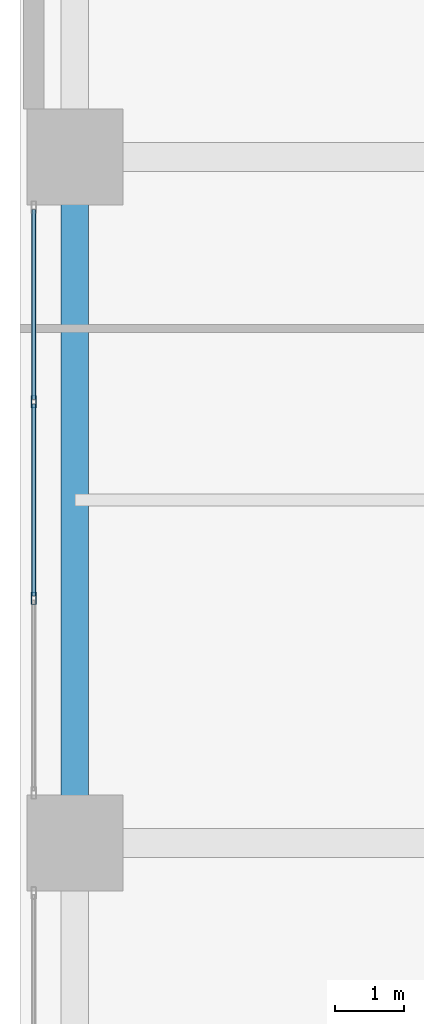
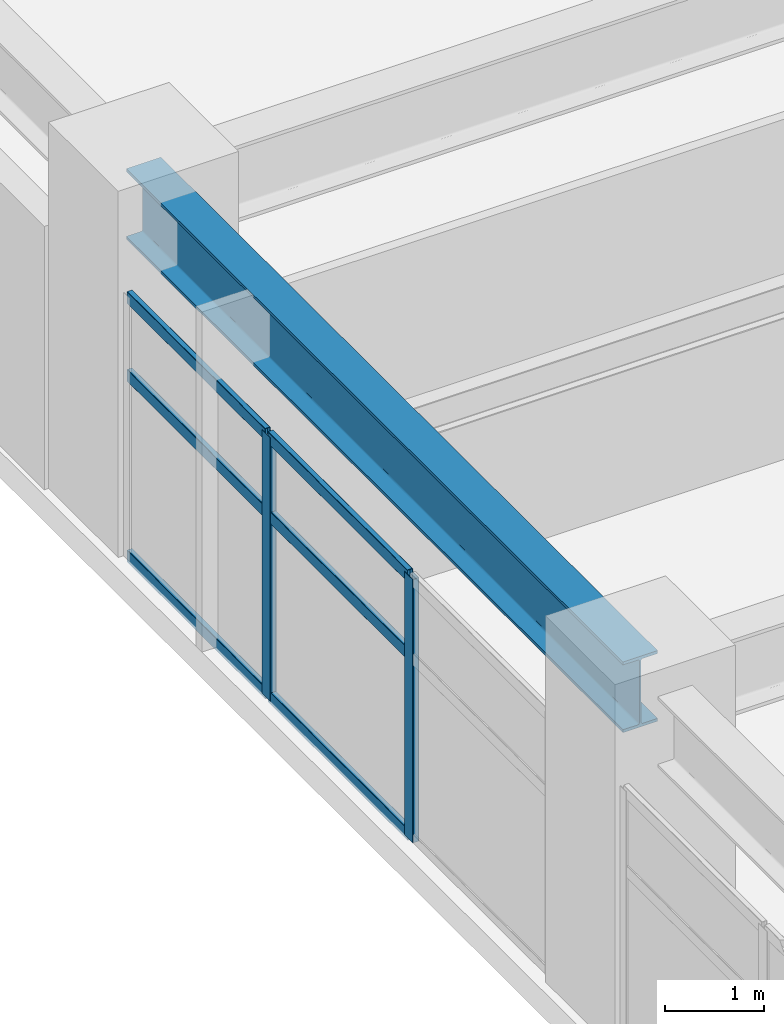
# One storey, part 9 of 28: 8 members, 1 beam, 1 element without a shape of its own.
"""IFC4 building model written with IfcOpenShell, lengths in metres."""

from ifc_helpers import new_model, si_unit, direction, frame, origin, origin_2d, place, context, subcontext, project, spatial, hollow_rectangle, i_section, extrude, material, layer, layer_set, material_profile, profile_set, type_object, element, aggregate, save


model = new_model("IFC4")

# Units and contexts
model_context = context("Model", 3, precision=1e-05, world=origin(), true_north=direction((0.0, 1.0)))
body_context = subcontext(model_context, "Body", "Model", "MODEL_VIEW")
ifc_project = project(units=[si_unit("LENGTHUNIT", "METRE"), si_unit("AREAUNIT", "SQUARE_METRE"), si_unit("VOLUMEUNIT", "CUBIC_METRE"), si_unit("PLANEANGLEUNIT", "RADIAN"), si_unit("MASSUNIT", "GRAM", prefix="KILO")], contexts=[model_context])

# Site, building, storey
site_placement = place(None, origin())
site = spatial("IfcSite", under=ifc_project, at=site_placement, CompositionType="ELEMENT")
building_placement = place(site_placement, origin())
building = spatial("IfcBuilding", under=site, at=building_placement, Name="Soratama Intermodal Tower", CompositionType="ELEMENT")
storey_placement = place(building_placement, frame((0.0, 0.0, 20.699951171875)))
storey = spatial("IfcBuildingStorey", under=building, at=storey_placement, Name="L04", CompositionType="ELEMENT", Elevation=20.699951171875)

# Beam
ifc_material_1 = material(Name="Structural steel ASTM A992 Grade 50", Category="steel")
ifc_material_profile_1 = material_profile(ifc_material_1, i_section(OverallWidth=0.403076171875, OverallDepth=0.867919921875, WebThickness=0.02099609375, FlangeThickness=0.03564453125, FilletRadius=0.01806640625, at=origin_2d()), Name="W33X241")
ifc_profile_set_1 = profile_set([ifc_material_profile_1], Name="Structural steel ASTM A992 Grade 50")
beam_type = type_object("IfcBeamType", Name="BM-POD-EXT-W33", PredefinedType="BEAM", material=ifc_profile_set_1)
beam_placement = place(storey_placement, frame((0.800048828125, 25.0, 3.74609375), z_axis=(0.0, 1.0, 0.0), x_axis=(-1.0, 0.0, 0.0)))
element("IfcBeam", 1, at=beam_placement, inside=storey, type_object=beam_type, Name="L04 Station Girder Y1-3", PredefinedType="BEAM", context=body_context, shape_type="SweptSolid", body=[
    extrude(i_section(OverallWidth=0.403076171875, OverallDepth=0.867919921875, WebThickness=0.02099609375, FlangeThickness=0.03564453125, FilletRadius=0.01806640625, at=origin_2d()), origin(), (0.0, 0.0, 1.0), 10.0),
])

# Curtain wall, members
ifc_material_2 = material(Name="Double-glazed aluminium curtain wall", Category="aluminium")
ifc_layer = layer(ifc_material_2, 0.159912109375)
ifc_layer_set = layer_set([ifc_layer], Name="Double-glazed aluminium curtain wall")
curtain_wall_type = type_object("IfcCurtainWallType", Name="CW-SYS-1", PredefinedType="NOTDEFINED", material=ifc_layer_set)
curtain_wall_placement = place(storey_placement, origin())
curtain_wall = element("IfcCurtainWall", 2, at=curtain_wall_placement, inside=storey, type_object=curtain_wall_type, Name="L04 Station Curtain Wall W2", PredefinedType="NOTDEFINED")
ifc_material_3 = material(Name="Anodised aluminium AA 6063-T6", Category="aluminium")
ifc_material_profile_2 = material_profile(ifc_material_3, hollow_rectangle(XDim=0.074951171875, YDim=0.179931640625, WallThickness=0.006103515625, InnerFilletRadius=0.006103515625, OuterFilletRadius=0.011962890625, at=origin_2d()), Name="CWM180X75X6")
ifc_profile_set_2 = profile_set([ifc_material_profile_2], Name="Anodised aluminium AA 6063-T6")
member_type_1 = type_object("IfcMemberType", Name="MT-CWM-1", PredefinedType="MULLION", material=ifc_profile_set_2)
member_1_placement = place(storey_placement, frame((0.199951171875, 28.566650390625, 0.0), z_axis=(0.0, 0.0, 1.0), x_axis=(-1.0, 0.0, 0.0)))
member_1 = element("IfcMember", 3, at=member_1_placement, type_object=member_type_1, Name="CW-1 mullion 2", PredefinedType="MULLION", context=body_context, shape_type="SweptSolid", body=[
    extrude(hollow_rectangle(XDim=0.074951171875, YDim=0.179931640625, WallThickness=0.006103515625, InnerFilletRadius=0.006103515625, OuterFilletRadius=0.011962890625, at=origin_2d()), origin(), (0.0, 0.0, 1.0), 3.236083984375),
])
member_2_placement = place(storey_placement, frame((0.199951171875, 31.433349609375, 0.0), z_axis=(0.0, 0.0, 1.0), x_axis=(-1.0, 0.0, 0.0)))
member_2 = element("IfcMember", 4, at=member_2_placement, type_object=member_type_1, Name="CW-1 mullion 3", PredefinedType="MULLION", context=body_context, shape_type="SweptSolid", body=[
    extrude(hollow_rectangle(XDim=0.074951171875, YDim=0.179931640625, WallThickness=0.006103515625, InnerFilletRadius=0.006103515625, OuterFilletRadius=0.011962890625, at=origin_2d()), origin(), (0.0, 0.0, 1.0), 3.236083984375),
])
ifc_material_4 = material(Name="Anodised aluminium AA 6063-T6", Category="aluminium")
ifc_material_profile_3 = material_profile(ifc_material_4, hollow_rectangle(XDim=0.06494140625, YDim=0.14990234375, WallThickness=0.0048828125, InnerFilletRadius=0.0048828125, OuterFilletRadius=0.010009765625, at=origin_2d()), Name="CWT150X65X5")
ifc_profile_set_3 = profile_set([ifc_material_profile_3], Name="Anodised aluminium AA 6063-T6")
member_type_2 = type_object("IfcMemberType", Name="TT-CWT-1", PredefinedType="USERDEFINED", material=ifc_profile_set_3)
member_3_placement = place(storey_placement, frame((0.199951171875, 28.5966796875, 0.030029296875), z_axis=(0.0, 1.0, 0.0), x_axis=(-1.0, 0.0, 0.0)))
member_3 = element("IfcMember", 5, at=member_3_placement, type_object=member_type_2, Name="CW-1 transom 2.1", ObjectType="TRANSOM", PredefinedType="USERDEFINED", context=body_context, shape_type="SweptSolid", body=[
    extrude(hollow_rectangle(XDim=0.06494140625, YDim=0.14990234375, WallThickness=0.0048828125, InnerFilletRadius=0.0048828125, OuterFilletRadius=0.010009765625, at=origin_2d()), origin(), (0.0, 0.0, 1.0), 2.806640625),
])
member_4_placement = place(storey_placement, frame((0.199951171875, 28.5966796875, 2.25), z_axis=(0.0, 1.0, 0.0), x_axis=(-1.0, 0.0, 0.0)))
member_4 = element("IfcMember", 6, at=member_4_placement, type_object=member_type_2, Name="CW-1 transom 2.2", ObjectType="TRANSOM", PredefinedType="USERDEFINED", context=body_context, shape_type="SweptSolid", body=[
    extrude(hollow_rectangle(XDim=0.06494140625, YDim=0.14990234375, WallThickness=0.0048828125, InnerFilletRadius=0.0048828125, OuterFilletRadius=0.010009765625, at=origin_2d()), origin(), (0.0, 0.0, 1.0), 2.806640625),
])
member_5_placement = place(storey_placement, frame((0.199951171875, 28.5966796875, 3.2060546875), z_axis=(0.0, 1.0, 0.0), x_axis=(-1.0, 0.0, 0.0)))
member_5 = element("IfcMember", 7, at=member_5_placement, type_object=member_type_2, Name="CW-1 transom 2.3", ObjectType="TRANSOM", PredefinedType="USERDEFINED", context=body_context, shape_type="SweptSolid", body=[
    extrude(hollow_rectangle(XDim=0.06494140625, YDim=0.14990234375, WallThickness=0.0048828125, InnerFilletRadius=0.0048828125, OuterFilletRadius=0.010009765625, at=origin_2d()), origin(), (0.0, 0.0, 1.0), 2.806640625),
])
member_6_placement = place(storey_placement, frame((0.199951171875, 31.46337890625, 0.030029296875), z_axis=(0.0, 1.0, 0.0), x_axis=(-1.0, 0.0, 0.0)))
member_6 = element("IfcMember", 8, at=member_6_placement, type_object=member_type_2, Name="CW-1 transom 3.1", ObjectType="TRANSOM", PredefinedType="USERDEFINED", context=body_context, shape_type="SweptSolid", body=[
    extrude(hollow_rectangle(XDim=0.06494140625, YDim=0.14990234375, WallThickness=0.0048828125, InnerFilletRadius=0.0048828125, OuterFilletRadius=0.010009765625, at=origin_2d()), origin(), (0.0, 0.0, 1.0), 2.776611328125),
])
member_7_placement = place(storey_placement, frame((0.199951171875, 31.46337890625, 2.25), z_axis=(0.0, 1.0, 0.0), x_axis=(-1.0, 0.0, 0.0)))
member_7 = element("IfcMember", 9, at=member_7_placement, type_object=member_type_2, Name="CW-1 transom 3.2", ObjectType="TRANSOM", PredefinedType="USERDEFINED", context=body_context, shape_type="SweptSolid", body=[
    extrude(hollow_rectangle(XDim=0.06494140625, YDim=0.14990234375, WallThickness=0.0048828125, InnerFilletRadius=0.0048828125, OuterFilletRadius=0.010009765625, at=origin_2d()), origin(), (0.0, 0.0, 1.0), 2.776611328125),
])
member_8_placement = place(storey_placement, frame((0.199951171875, 31.46337890625, 3.2060546875), z_axis=(0.0, 1.0, 0.0), x_axis=(-1.0, 0.0, 0.0)))
member_8 = element("IfcMember", 10, at=member_8_placement, type_object=member_type_2, Name="CW-1 transom 3.3", ObjectType="TRANSOM", PredefinedType="USERDEFINED", context=body_context, shape_type="SweptSolid", body=[
    extrude(hollow_rectangle(XDim=0.06494140625, YDim=0.14990234375, WallThickness=0.0048828125, InnerFilletRadius=0.0048828125, OuterFilletRadius=0.010009765625, at=origin_2d()), origin(), (0.0, 0.0, 1.0), 2.776611328125),
])
aggregate(curtain_wall, [member_1, member_2, member_3, member_4, member_5, member_6, member_7, member_8])

save(model, "model.ifc")
